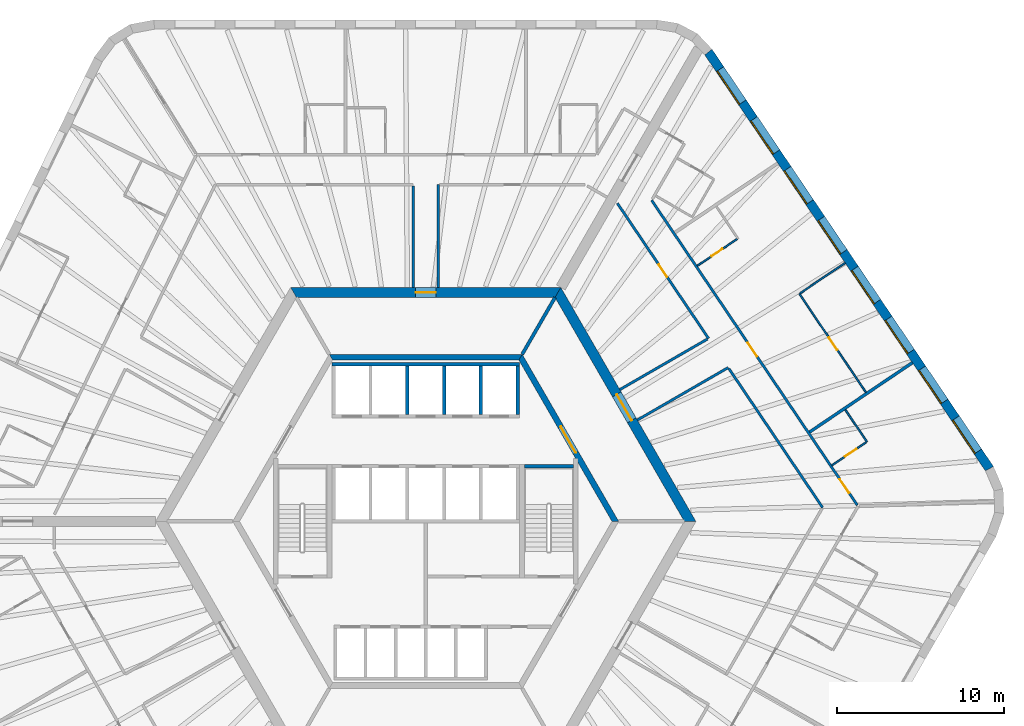
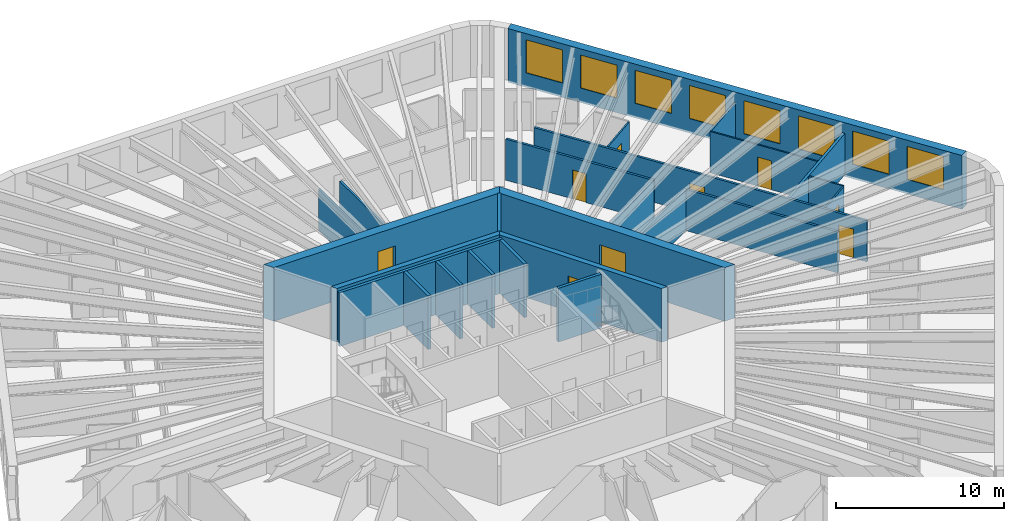
# One storey, part 9 of 11: 25 walls, 9 doors, 8 windows, 17 openings.
"""IFC4 building model written with IfcOpenShell, lengths in metres."""

import ifcopenshell
import ifcopenshell.guid

model = None  # the IFC model being written
_history = None  # IfcOwnerHistory: only IFC2X3 demands one
_inside = {}  # id of a spatial element -> (the spatial element, [elements in it])
_under = {}  # id of a project, library or spatial element -> (it, [spatial elements below it])
_declared = {}  # id of a project -> (the project, [libraries it declares])
_typed = {}  # id of a type object -> (the type object, [elements of that type])
_made_of = {}  # id of a material, layer set ... -> (it, [elements and type objects made of it])


def new_model(schema):
    """Start an empty IFC model of exactly this schema.

    Asked for "IFC4X3", IfcOpenShell would pick the latest addendum, in which some entities
    have other attributes; the version numbers below select the first issue.
    IFC2X3 requires an IfcOwnerHistory on every rooted entity: one is made here for all.
    """
    global model, _history
    if schema == "IFC4X3":
        model = ifcopenshell.file(schema_version=(4, 3, 0, 0))
    else:
        model = ifcopenshell.file(schema=schema)
    _inside.clear()
    _under.clear()
    _declared.clear()
    _typed.clear()
    _made_of.clear()
    _history = None
    if model.schema == "IFC2X3":
        org = make("IfcOrganization", Name="unknown")
        user = make(
            "IfcPersonAndOrganization",
            ThePerson=make("IfcPerson", FamilyName="unknown"),
            TheOrganization=org,
        )
        app = make(
            "IfcApplication",
            ApplicationDeveloper=org,
            Version="unknown",
            ApplicationFullName="unknown",
            ApplicationIdentifier="unknown",
        )
        _history = make(
            "IfcOwnerHistory",
            OwningUser=user,
            OwningApplication=app,
            ChangeAction="ADDED",
            CreationDate=0,
        )
    return model


def make(cls, **values):
    """One entity of the class cls with the attributes given. An attribute that is None is left unset."""
    return model.create_entity(
        cls, **{name: value for name, value in values.items() if value is not None}
    )


def rooted(cls, **values):
    """An entity with a GlobalId (a new one), such as an element, a storey or a relation."""
    return make(cls, GlobalId=ifcopenshell.guid.new(), OwnerHistory=_history, **values)


def si_unit(unit_type, name, prefix=None):
    """IfcSIUnit, for example si_unit("LENGTHUNIT", "METRE", prefix="MILLI")."""
    return make("IfcSIUnit", UnitType=unit_type, Prefix=prefix, Name=name)


def assignment(units):
    """IfcUnitAssignment: the units of a project."""
    return None if units is None else make("IfcUnitAssignment", Units=units)


def point(xyz):
    """IfcCartesianPoint."""
    return None if xyz is None else make("IfcCartesianPoint", Coordinates=xyz)


def direction(xyz):
    """IfcDirection."""
    return None if xyz is None else make("IfcDirection", DirectionRatios=xyz)


def frame(location, z_axis=None, x_axis=None):
    """IfcAxis2Placement3D, a coordinate frame: its origin and axes. An axis left out is left unset."""
    return make(
        "IfcAxis2Placement3D",
        Location=point(location),
        Axis=direction(z_axis),
        RefDirection=direction(x_axis),
    )


def frame_2d(location, x_axis=None):
    """IfcAxis2Placement2D, a coordinate frame in the plane: its origin and x axis."""
    return make(
        "IfcAxis2Placement2D", Location=point(location), RefDirection=direction(x_axis)
    )


def origin():
    """The frame at (0, 0, 0) with its axes left unset."""
    return frame((0.0, 0.0, 0.0))


def place(relative_to, where):
    """IfcLocalPlacement: puts the frame where relative to a parent placement (None: the world)."""
    return make(
        "IfcLocalPlacement", PlacementRelTo=relative_to, RelativePlacement=where
    )


def context(
    kind, dimensions, precision=None, world=None, true_north=None, identifier=None
):
    """IfcGeometricRepresentationContext, for example the 3D "Model" context."""
    return make(
        "IfcGeometricRepresentationContext",
        ContextIdentifier=identifier,
        ContextType=kind,
        CoordinateSpaceDimension=dimensions,
        Precision=precision,
        WorldCoordinateSystem=world,
        TrueNorth=true_north,
    )


def subcontext(parent, identifier, kind, view, scale=None):
    """IfcGeometricRepresentationSubContext, for example "Body" below "Model"."""
    return make(
        "IfcGeometricRepresentationSubContext",
        ContextIdentifier=identifier,
        ContextType=kind,
        ParentContext=parent,
        TargetScale=scale,
        TargetView=view,
    )


def project(units=None, contexts=None):
    """IfcProject with its units and contexts."""
    return rooted(
        "IfcProject",
        Name="project",
        RepresentationContexts=contexts,
        UnitsInContext=assignment(units),
    )


def spatial(cls, under=None, at=None, **own):
    """A site, building, storey or space (cls), placed at a placement, below another one or the project."""
    s = rooted(cls, ObjectPlacement=at, **own)
    if under is not None:
        _under.setdefault(under.id(), (under, []))[1].append(s)
    return s


def polyline(points):
    """IfcPolyline through the points."""
    return make("IfcPolyline", Points=[point(p) for p in points])


def profile(cls, at=None, kind="AREA", **sizes):
    """A parametric profile (cls). Its sizes go by their IFC names, for example OverallWidth=200.0."""
    return make(cls, ProfileType=kind, Position=at, **sizes)


def rectangle(**sizes):
    """IfcRectangleProfileDef."""
    return profile("IfcRectangleProfileDef", **sizes)


def outline(outer, holes=None, kind="AREA"):
    """IfcArbitraryClosedProfileDef: a profile drawn as a closed curve; with holes, ...WithVoids."""
    if holes is None:
        return make("IfcArbitraryClosedProfileDef", ProfileType=kind, OuterCurve=outer)
    return make(
        "IfcArbitraryProfileDefWithVoids",
        ProfileType=kind,
        OuterCurve=outer,
        InnerCurves=holes,
    )


def extrude(swept, where, along, depth):
    """IfcExtrudedAreaSolid: the profile swept, set in the frame where, extruded along a direction by depth."""
    return make(
        "IfcExtrudedAreaSolid",
        SweptArea=swept,
        Position=where,
        ExtrudedDirection=direction(along),
        Depth=depth,
    )


def shape(context_of_items, identifier, shape_type, items):
    """IfcShapeRepresentation: the items that make up one representation, for example the "Body"."""
    return make(
        "IfcShapeRepresentation",
        ContextOfItems=context_of_items,
        RepresentationIdentifier=identifier,
        RepresentationType=shape_type,
        Items=items,
    )


def material(Name=None, Category=None):
    """IfcMaterial."""
    return make("IfcMaterial", Name=Name, Category=Category)


def layer(
    of_material, thickness, ventilated=None, Name=None, Category=None, Priority=None
):
    """IfcMaterialLayer: one layer of a wall or slab, of a material (None: an air gap)."""
    return make(
        "IfcMaterialLayer",
        Material=of_material,
        LayerThickness=thickness,
        IsVentilated=ventilated,
        Name=Name,
        Category=Category,
        Priority=Priority,
    )


def layer_set(layers, Name=None):
    """IfcMaterialLayerSet."""
    return make("IfcMaterialLayerSet", MaterialLayers=layers, LayerSetName=Name)


def made_of(thing, what):
    """Note that an element or type object is made of a material, layer set ...; save() writes the relation."""
    if what is not None:
        _made_of.setdefault(what.id(), (what, []))[1].append(thing)
    return thing


def type_object(cls, material=None, **own):
    """A type object (cls), such as IfcWallType, which elements share."""
    return made_of(rooted(cls, **own), material)


def element(
    cls,
    number,
    at=None,
    inside=None,
    cuts=None,
    type_object=None,
    material=None,
    context=None,
    identifier="Body",
    shape_type=None,
    held_by="IfcProductDefinitionShape",
    body=None,
    shapes=None,
    **own,
):
    """One element of the class cls, such as IfcWall. Its Tag is "e" and its number.

    at: its placement. inside: the storey or other place that contains it. cuts: it is an
    opening in that element (IfcRelVoidsElement). A single representation is given by context,
    identifier, shape_type and body (its items); several are given by shapes. held_by: the class
    of the entity that holds the representations. save() writes the other relations.
    """
    e = rooted(cls, Tag="e%d" % number, ObjectPlacement=at, **own)
    if body is not None:
        shapes = [shape(context, identifier, shape_type, body)]
    if shapes is not None:
        e.Representation = make(held_by, Representations=shapes)
    if inside is not None:
        _inside.setdefault(inside.id(), (inside, []))[1].append(e)
    if cuts is not None:
        rooted(
            "IfcRelVoidsElement", RelatingBuildingElement=cuts, RelatedOpeningElement=e
        )
    if type_object is not None:
        _typed.setdefault(type_object.id(), (type_object, []))[1].append(e)
    return made_of(e, material)


def fill(opening, filler):
    """IfcRelFillsElement: the door or window that sits in an opening."""
    return rooted(
        "IfcRelFillsElement",
        RelatingOpeningElement=opening,
        RelatedBuildingElement=filler,
    )


def aggregate(whole, parts):
    """IfcRelAggregates: a whole, such as a stair, and the parts it consists of."""
    return rooted("IfcRelAggregates", RelatingObject=whole, RelatedObjects=parts)


def save(model, path):
    """Write the relations noted so far, then the file.

    IfcRelAggregates (storeys below a building ...), IfcRelContainedInSpatialStructure (elements
    in a storey), IfcRelDefinesByType, IfcRelAssociatesMaterial and IfcRelDeclares: one each for
    every whole, place, type object, material and project.
    """
    for whole, parts in _under.values():
        aggregate(whole, parts)
    for where, things in _inside.values():
        rooted(
            "IfcRelContainedInSpatialStructure",
            RelatedElements=things,
            RelatingStructure=where,
        )
    for kind, things in _typed.values():
        rooted("IfcRelDefinesByType", RelatedObjects=things, RelatingType=kind)
    for what, things in _made_of.values():
        rooted("IfcRelAssociatesMaterial", RelatedObjects=things, RelatingMaterial=what)
    for by, libraries in _declared.values():
        rooted("IfcRelDeclares", RelatingContext=by, RelatedDefinitions=libraries)
    model.write(path)


model = new_model("IFC4")

# Units and contexts
model_context = context("Model", 3, precision=1e-05, world=origin(), true_north=direction((0.0, 1.0)))
body_context = subcontext(model_context, "Body", "Model", "MODEL_VIEW")
ifc_project = project(units=[si_unit("LENGTHUNIT", "METRE"), si_unit("AREAUNIT", "SQUARE_METRE"), si_unit("VOLUMEUNIT", "CUBIC_METRE"), si_unit("PLANEANGLEUNIT", "RADIAN"), si_unit("MASSUNIT", "GRAM", prefix="KILO")], contexts=[model_context])

# Site, building, storey
site_placement = place(None, origin())
site = spatial("IfcSite", under=ifc_project, at=site_placement, CompositionType="ELEMENT")
building_placement = place(site_placement, origin())
building = spatial("IfcBuilding", under=site, at=building_placement, Name="Tarnside Tower", CompositionType="ELEMENT")
storey_placement = place(building_placement, frame((0.0, 0.0, 45.300048828125)))
storey = spatial("IfcBuildingStorey", under=building, at=storey_placement, Name="L08", CompositionType="ELEMENT", Elevation=45.300048828125)

# Wall
ifc_material_1 = material(Name="Gypsum board partition on steel studs", Category="steel")
ifc_layer_1 = layer(ifc_material_1, 0.10009765625)
ifc_layer_set_1 = layer_set([ifc_layer_1], Name="Bathroom wall 100")
wall_type_1 = type_object("IfcWallType", Name="Bathroom wall 100", PredefinedType="PARTITIONING", material=ifc_layer_set_1)
wall_1_placement = place(storey_placement, frame((25.106689453125, 6.680419921875, 0.0), z_axis=(0.0, 0.0, 1.0), x_axis=(0.559204176839, -0.829029968461, 0.0)))
element("IfcWall", 1, at=wall_1_placement, inside=storey, type_object=wall_type_1, Name="Bathroom wall 01142", PredefinedType="PARTITIONING", context=body_context, shape_type="SweptSolid", body=[
    extrude(rectangle(XDim=2.31005859375, YDim=0.10009765625, at=frame_2d((1.155029296875, 0.0))), origin(), (0.0, 0.0, 1.0), 2.98779296875),
])

# Wall, opening, door
wall_2_placement = place(storey_placement, frame((26.35693359375, 4.7373046875, 0.0), z_axis=(0.0, 0.0, 1.0), x_axis=(-0.829094460354, -0.559108554585, 0.0)))
wall_2 = element("IfcWall", 2, at=wall_2_placement, inside=storey, type_object=wall_type_1, Name="Bathroom wall 01143", PredefinedType="PARTITIONING", context=body_context, shape_type="SweptSolid", body=[
    extrude(rectangle(XDim=2.47509765625, YDim=0.10009765625, at=frame_2d((1.237548828125, 0.0))), origin(), (0.0, 0.0, 1.0), 2.98779296875),
])
opening_1_placement = place(wall_2_placement, frame((0.719970703125, 0.0, 0.0)))
opening_1 = element("IfcOpeningElement", 3, at=opening_1_placement, cuts=wall_2, Name="Opening D-B1", PredefinedType="OPENING", context=body_context, shape_type="SweptSolid", body=[
    extrude(rectangle(XDim=0.800048828125, YDim=2.10009765625, at=frame_2d((0.39990234375, 1.050048828125))), frame((0.0, 0.06005859375, 0.0), z_axis=(0.0, -1.0, 0.0), x_axis=(1.0, 0.0, 0.0)), (0.0, 0.0, 1.0), 0.1201171875),
])
ifc_material_2 = material(Name="Timber door leaf", Category="wood")
door_type_1 = type_object("IfcDoorType", Name="Bathroom door 800", OperationType="NOTDEFINED", PredefinedType="DOOR", material=ifc_material_2)
door_1_placement = place(opening_1_placement, origin())
door_1 = element("IfcDoor", 4, at=door_1_placement, inside=storey, type_object=door_type_1, Name="Bathroom door 01036", OperationType="SINGLE_SWING_RIGHT", OverallHeight=2.10009765625, OverallWidth=0.800048828125, PredefinedType="DOOR", context=body_context, shape_type="SweptSolid", body=[
    extrude(rectangle(XDim=0.800048828125, YDim=2.10009765625, at=frame_2d((0.39990234375, 1.050048828125))), frame((0.0, 0.02490234375, 0.0), z_axis=(0.0, -1.0, 0.0), x_axis=(1.0, 0.0, 0.0)), (0.0, 0.0, 1.0), 0.050048828125),
])
fill(opening_1, door_1)

wall_3_placement = place(storey_placement, frame((18.63623046875, 16.899169921875, 0.0), z_axis=(0.0, 0.0, 1.0), x_axis=(-0.82904649496, -0.559179675234, 0.0)))
wall_3 = element("IfcWall", 5, at=wall_3_placement, inside=storey, type_object=wall_type_1, Name="Bathroom wall 01148", PredefinedType="PARTITIONING", context=body_context, shape_type="SweptSolid", body=[
    extrude(rectangle(XDim=2.875, YDim=0.10009765625, at=frame_2d((1.4375, 0.0))), origin(), (0.0, 0.0, 1.0), 2.98779296875),
])
opening_2_placement = place(wall_3_placement, frame((1.050048828125, 0.0, 0.0)))
opening_2 = element("IfcOpeningElement", 6, at=opening_2_placement, cuts=wall_3, Name="Opening D-B1", PredefinedType="OPENING", context=body_context, shape_type="SweptSolid", body=[
    extrude(rectangle(XDim=0.800048828125, YDim=2.10009765625, at=frame_2d((0.39990234375, 1.050048828125))), frame((0.0, 0.06005859375, 0.0), z_axis=(0.0, -1.0, 0.0), x_axis=(1.0, 0.0, 0.0)), (0.0, 0.0, 1.0), 0.1201171875),
])
door_2_placement = place(opening_2_placement, origin())
door_2 = element("IfcDoor", 7, at=door_2_placement, inside=storey, type_object=door_type_1, Name="Bathroom door 01038", OperationType="SINGLE_SWING_LEFT", OverallHeight=2.10009765625, OverallWidth=0.800048828125, PredefinedType="DOOR", context=body_context, shape_type="SweptSolid", body=[
    extrude(rectangle(XDim=0.800048828125, YDim=2.10009765625, at=frame_2d((0.39990234375, 1.050048828125))), frame((0.0, 0.02490234375, 0.0), z_axis=(0.0, -1.0, 0.0), x_axis=(1.0, 0.0, 0.0)), (0.0, 0.0, 1.0), 0.050048828125),
])
fill(opening_2, door_2)

ifc_material_3 = material(Name="Concrete C50/60", Category="concrete")
ifc_layer_2 = layer(ifc_material_3, 0.35009765625)
ifc_layer_set_2 = layer_set([ifc_layer_2], Name="Core block wall 350 C50/60")
wall_type_2 = type_object("IfcWallType", Name="Core block wall 350 C50/60", PredefinedType="SHEAR", material=ifc_layer_set_2)
wall_4_placement = place(storey_placement, frame((11.344970703125, 0.0, -0.150146484375), z_axis=(0.0, 0.0, 1.0), x_axis=(-0.499995046907, 0.866028263435, 0.0)))
wall_4 = element("IfcWall", 8, at=wall_4_placement, inside=storey, type_object=wall_type_2, Name="L08 core block wall face 6", PredefinedType="SHEAR", context=body_context, shape_type="SweptSolid", body=[
    extrude(outline(polyline([(-0.10107421875, -0.175048828125), (11.44580078125, -0.175048828125), (11.24365234375, 0.175048828125), (0.10107421875, 0.175048828125), (-0.10107421875, -0.175048828125)])), origin(), (0.0, 0.0, 1.0), 3.900146484375),
])
opening_3_placement = place(wall_4_placement, frame((4.74365234375, 0.0, 0.14990234375)))
opening_3 = element("IfcOpeningElement", 9, at=opening_3_placement, cuts=wall_4, Name="Opening CD-LOB", PredefinedType="OPENING", context=body_context, shape_type="SweptSolid", body=[
    extrude(rectangle(XDim=1.800048828125, YDim=2.39990234375, at=frame_2d((0.89990234375, 1.199951171875))), frame((0.0, 0.18505859375, 0.0), z_axis=(0.0, -1.0, 0.0), x_axis=(1.0, 0.0, 0.0)), (0.0, 0.0, 1.0), 0.3701171875),
])
ifc_material_4 = material(Name="Steel fire door", Category="steel")
door_type_2 = type_object("IfcDoorType", Name="Lobby double door FD30S 1800x2400", OperationType="NOTDEFINED", PredefinedType="DOOR", material=ifc_material_4)
door_3_placement = place(opening_3_placement, origin())
door_3 = element("IfcDoor", 10, at=door_3_placement, inside=storey, type_object=door_type_2, Name="L08 lobby block door P2", OperationType="DOUBLE_DOOR_SINGLE_SWING", OverallHeight=2.39990234375, OverallWidth=1.800048828125, PredefinedType="DOOR", context=body_context, shape_type="SweptSolid", body=[
    extrude(rectangle(XDim=1.800048828125, YDim=2.39990234375, at=frame_2d((0.89990234375, 1.199951171875))), frame((0.0, 0.02490234375, 0.0), z_axis=(0.0, -1.0, 0.0), x_axis=(1.0, 0.0, 0.0)), (0.0, 0.0, 1.0), 0.050048828125),
])
fill(opening_3, door_3)

# Wall
wall_5_placement = place(storey_placement, frame((5.672607421875, 9.824951171875, -0.150146484375), z_axis=(0.0, 0.0, 1.0), x_axis=(-1.0, 0.0, 0.0)))
element("IfcWall", 11, at=wall_5_placement, inside=storey, type_object=wall_type_2, Name="L08 core block wall face 1", PredefinedType="SHEAR", context=body_context, shape_type="SweptSolid", body=[
    extrude(outline(polyline([(-0.10107421875, -0.175048828125), (11.4462890625, -0.175048828125), (11.244140625, 0.175048828125), (0.10107421875, 0.175048828125), (-0.10107421875, -0.175048828125)])), origin(), (0.0, 0.0, 1.0), 3.900146484375),
])

# Wall, opening, door
ifc_material_5 = material(Name="Concrete C80/95", Category="concrete")
ifc_layer_3 = layer(ifc_material_5, 0.60009765625)
ifc_layer_set_3 = layer_set([ifc_layer_3], Name="Core wall Z1 600 C80/95")
wall_type_3 = type_object("IfcWallType", Name="Core wall Z1 600 C80/95", PredefinedType="SHEAR", material=ifc_layer_set_3)
wall_6_placement = place(storey_placement, frame((15.8193359375, 0.0, -0.150146484375), z_axis=(0.0, 0.0, 1.0), x_axis=(-0.499999880136, 0.866025472988, 0.0)))
wall_6 = element("IfcWall", 12, at=wall_6_placement, inside=storey, type_object=wall_type_3, Name="L08 core wall face 6", PredefinedType="SHEAR", context=body_context, shape_type="SweptSolid", body=[
    extrude(outline(polyline([(-0.17333984375, -0.300048828125), (15.99267578125, -0.300048828125), (15.64599609375, 0.300048828125), (0.17333984375, 0.300048828125), (-0.17333984375, -0.300048828125)])), origin(), (0.0, 0.0, 1.0), 3.900146484375),
])
opening_4_placement = place(wall_6_placement, frame((6.980712890625, 0.0, 0.14990234375)))
opening_4 = element("IfcOpeningElement", 13, at=opening_4_placement, cuts=wall_6, Name="Opening CD-LOB", PredefinedType="OPENING", context=body_context, shape_type="SweptSolid", body=[
    extrude(rectangle(XDim=1.800048828125, YDim=2.39990234375, at=frame_2d((0.89990234375, 1.199951171875))), frame((0.0, 0.31005859375, 0.0), z_axis=(0.0, -1.0, 0.0), x_axis=(1.0, 0.0, 0.0)), (0.0, 0.0, 1.0), 0.6201171875),
])
door_4_placement = place(opening_4_placement, origin())
door_4 = element("IfcDoor", 14, at=door_4_placement, inside=storey, type_object=door_type_2, Name="L08 core door P2", OperationType="DOUBLE_DOOR_SINGLE_SWING", OverallHeight=2.39990234375, OverallWidth=1.800048828125, PredefinedType="DOOR", context=body_context, shape_type="SweptSolid", body=[
    extrude(rectangle(XDim=1.800048828125, YDim=2.39990234375, at=frame_2d((0.89990234375, 1.199951171875))), frame((0.0, 0.02490234375, 0.0), z_axis=(0.0, -1.0, 0.0), x_axis=(1.0, 0.0, 0.0)), (0.0, 0.0, 1.0), 0.050048828125),
])
fill(opening_4, door_4)

wall_7_placement = place(storey_placement, frame((7.90966796875, 13.699951171875, -0.150146484375), z_axis=(0.0, 0.0, 1.0), x_axis=(-1.0, 0.0, 0.0)))
wall_7 = element("IfcWall", 15, at=wall_7_placement, inside=storey, type_object=wall_type_3, Name="L08 core wall face 1", PredefinedType="SHEAR", context=body_context, shape_type="SweptSolid", body=[
    extrude(outline(polyline([(-0.17333984375, -0.300048828125), (15.99267578125, -0.300048828125), (15.64599609375, 0.300048828125), (0.17333984375, 0.300048828125), (-0.17333984375, -0.300048828125)])), origin(), (0.0, 0.0, 1.0), 3.900146484375),
])
opening_5_placement = place(wall_7_placement, frame((7.309814453125, 0.0, 0.14990234375)))
opening_5 = element("IfcOpeningElement", 16, at=opening_5_placement, cuts=wall_7, Name="Opening CD-RSR", PredefinedType="OPENING", context=body_context, shape_type="SweptSolid", body=[
    extrude(rectangle(XDim=1.199951171875, YDim=2.39990234375, at=frame_2d((0.60009765625, 1.199951171875))), frame((0.0, 0.31005859375, 0.0), z_axis=(0.0, -1.0, 0.0), x_axis=(1.0, 0.0, 0.0)), (0.0, 0.0, 1.0), 0.6201171875),
])
door_type_3 = type_object("IfcDoorType", Name="Riser door FD60 1200x2400", OperationType="NOTDEFINED", PredefinedType="DOOR", material=ifc_material_4)
door_5_placement = place(opening_5_placement, origin())
door_5 = element("IfcDoor", 17, at=door_5_placement, inside=storey, type_object=door_type_3, Name="L08 core door S5", OperationType="SINGLE_SWING_LEFT", OverallHeight=2.39990234375, OverallWidth=1.199951171875, PredefinedType="DOOR", context=body_context, shape_type="SweptSolid", body=[
    extrude(rectangle(XDim=1.199951171875, YDim=2.39990234375, at=frame_2d((0.60009765625, 1.199951171875))), frame((0.0, 0.02490234375, 0.0), z_axis=(0.0, -1.0, 0.0), x_axis=(1.0, 0.0, 0.0)), (0.0, 0.0, 1.0), 0.050048828125),
])
fill(opening_5, door_5)

# Walls
ifc_layer_4 = layer(ifc_material_1, 0.14990234375)
ifc_layer_set_4 = layer_set([ifc_layer_4], Name="Corridor wall 150 EI 60")
wall_type_4 = type_object("IfcWallType", Name="Corridor wall 150 EI 60", PredefinedType="PARTITIONING", material=ifc_layer_set_4)
wall_8_placement = place(storey_placement, frame((-0.75, 20.074951171875, 0.0), z_axis=(0.0, 0.0, 1.0), x_axis=(0.0, -1.0, 0.0)))
element("IfcWall", 18, at=wall_8_placement, inside=storey, type_object=wall_type_4, Name="Corridor wall 01019", PredefinedType="PARTITIONING", context=body_context, shape_type="SweptSolid", body=[
    extrude(rectangle(XDim=6.074951171875, YDim=0.14990234375, at=frame_2d((3.03759765625, 0.0))), origin(), (0.0, 0.0, 1.0), 2.98779296875),
])
wall_9_placement = place(storey_placement, frame((0.75, 14.0, 0.0), z_axis=(0.0, 0.0, 1.0), x_axis=(0.0, 1.0, 0.0)))
element("IfcWall", 19, at=wall_9_placement, inside=storey, type_object=wall_type_4, Name="Corridor wall 01020", PredefinedType="PARTITIONING", context=body_context, shape_type="SweptSolid", body=[
    extrude(rectangle(XDim=6.14990234375, YDim=0.14990234375, at=frame_2d((3.074951171875, 0.0))), origin(), (0.0, 0.0, 1.0), 2.98779296875),
])

# Wall, openings, doors
wall_10_placement = place(storey_placement, frame((25.820556640625, 0.972412109375, 0.0), z_axis=(0.0, 0.0, 1.0), x_axis=(-0.559193816298, 0.829036956845, 0.0)))
wall_10 = element("IfcWall", 20, at=wall_10_placement, inside=storey, type_object=wall_type_4, Name="Corridor wall 01059", PredefinedType="PARTITIONING", context=body_context, shape_type="SweptSolid", body=[
    extrude(rectangle(XDim=22.001708984375, YDim=0.14990234375, at=frame_2d((11.0009765625, 0.0))), origin(), (0.0, 0.0, 1.0), 2.98779296875),
])
opening_6_placement = place(wall_10_placement, frame((0.868896484375, 0.0, 0.0)))
opening_6 = element("IfcOpeningElement", 21, at=opening_6_placement, cuts=wall_10, Name="Opening D-E1", PredefinedType="OPENING", context=body_context, shape_type="SweptSolid", body=[
    extrude(rectangle(XDim=1.0, YDim=2.10009765625, at=frame_2d((0.5, 1.050048828125))), frame((0.0, 0.0849609375, 0.0), z_axis=(0.0, -1.0, 0.0), x_axis=(1.0, 0.0, 0.0)), (0.0, 0.0, 1.0), 0.169921875),
])
opening_7_placement = place(wall_10_placement, frame((10.721435546875, 0.0, 0.0)))
opening_7 = element("IfcOpeningElement", 22, at=opening_7_placement, cuts=wall_10, Name="Opening D-E1", PredefinedType="OPENING", context=body_context, shape_type="SweptSolid", body=[
    extrude(rectangle(XDim=1.0, YDim=2.10009765625, at=frame_2d((0.5, 1.050048828125))), frame((0.0, 0.0849609375, 0.0), z_axis=(0.0, -1.0, 0.0), x_axis=(1.0, 0.0, 0.0)), (0.0, 0.0, 1.0), 0.169921875),
])
door_type_4 = type_object("IfcDoorType", Name="Unit entrance door 1000 FD30S", OperationType="NOTDEFINED", PredefinedType="DOOR", material=ifc_material_2)
door_6_placement = place(opening_6_placement, origin())
door_6 = element("IfcDoor", 23, at=door_6_placement, inside=storey, type_object=door_type_4, Name="Unit door 01035", OperationType="SINGLE_SWING_RIGHT", OverallHeight=2.10009765625, OverallWidth=1.0, PredefinedType="DOOR", context=body_context, shape_type="SweptSolid", body=[
    extrude(rectangle(XDim=1.0, YDim=2.10009765625, at=frame_2d((0.5, 1.050048828125))), frame((0.0, 0.02490234375, 0.0), z_axis=(0.0, -1.0, 0.0), x_axis=(1.0, 0.0, 0.0)), (0.0, 0.0, 1.0), 0.050048828125),
])
fill(opening_6, door_6)
door_7_placement = place(opening_7_placement, origin())
door_7 = element("IfcDoor", 24, at=door_7_placement, inside=storey, type_object=door_type_4, Name="Unit door 01037", OperationType="SINGLE_SWING_RIGHT", OverallHeight=2.10009765625, OverallWidth=1.0, PredefinedType="DOOR", context=body_context, shape_type="SweptSolid", body=[
    extrude(rectangle(XDim=1.0, YDim=2.10009765625, at=frame_2d((0.5, 1.050048828125))), frame((0.0, 0.02490234375, 0.0), z_axis=(0.0, -1.0, 0.0), x_axis=(1.0, 0.0, 0.0)), (0.0, 0.0, 1.0), 0.050048828125),
])
fill(opening_7, door_7)

# Walls
wall_11_placement = place(storey_placement, frame((12.663818359375, 6.065673828125, 0.0), z_axis=(0.0, 0.0, 1.0), x_axis=(0.866036561919, 0.499980673046, 0.0)))
element("IfcWall", 25, at=wall_11_placement, inside=storey, type_object=wall_type_4, Name="Corridor wall 01068", PredefinedType="PARTITIONING", context=body_context, shape_type="SweptSolid", body=[
    extrude(rectangle(XDim=6.274658203125, YDim=0.14990234375, at=frame_2d((3.13720703125, 0.0))), origin(), (0.0, 0.0, 1.0), 2.98779296875),
])
wall_12_placement = place(storey_placement, frame((18.139892578125, 9.140625, 0.0), z_axis=(0.0, 0.0, 1.0), x_axis=(0.55918799196, -0.829040885389, 0.0)))
element("IfcWall", 26, at=wall_12_placement, inside=storey, type_object=wall_type_4, Name="Corridor wall 01069", PredefinedType="PARTITIONING", context=body_context, shape_type="SweptSolid", body=[
    extrude(rectangle(XDim=10.025146484375, YDim=0.14990234375, at=frame_2d((5.0126953125, 0.0))), origin(), (0.0, 0.0, 1.0), 2.98779296875),
])

# Wall, opening, door
wall_13_placement = place(storey_placement, frame((11.464599609375, 19.037109375, 0.0), z_axis=(0.0, 0.0, 1.0), x_axis=(0.559196064773, -0.829035440221, 0.0)))
wall_13 = element("IfcWall", 27, at=wall_13_placement, inside=storey, type_object=wall_type_4, Name="Corridor wall 01075", PredefinedType="PARTITIONING", context=body_context, shape_type="SweptSolid", body=[
    extrude(rectangle(XDim=9.757080078125, YDim=0.14990234375, at=frame_2d((4.87841796875, 0.0))), origin(), (0.0, 0.0, 1.0), 2.98779296875),
])
opening_8_placement = place(wall_13_placement, frame((4.428466796875, 0.0, 0.0)))
opening_8 = element("IfcOpeningElement", 28, at=opening_8_placement, cuts=wall_13, Name="Opening D-S1", PredefinedType="OPENING", context=body_context, shape_type="SweptSolid", body=[
    extrude(rectangle(XDim=0.89990234375, YDim=2.10009765625, at=frame_2d((0.449951171875, 1.050048828125))), frame((0.0, 0.0849609375, 0.0), z_axis=(0.0, -1.0, 0.0), x_axis=(1.0, 0.0, 0.0)), (0.0, 0.0, 1.0), 0.169921875),
])
door_type_5 = type_object("IfcDoorType", Name="Service room door 900 FD30S", OperationType="NOTDEFINED", PredefinedType="DOOR", material=ifc_material_2)
door_8_placement = place(opening_8_placement, origin())
door_8 = element("IfcDoor", 29, at=door_8_placement, inside=storey, type_object=door_type_5, Name="Service door 01050", OperationType="SINGLE_SWING_RIGHT", OverallHeight=2.10009765625, OverallWidth=0.89990234375, PredefinedType="DOOR", context=body_context, shape_type="SweptSolid", body=[
    extrude(rectangle(XDim=0.89990234375, YDim=2.10009765625, at=frame_2d((0.449951171875, 1.050048828125))), frame((0.0, 0.02490234375, 0.0), z_axis=(0.0, -1.0, 0.0), x_axis=(1.0, 0.0, 0.0)), (0.0, 0.0, 1.0), 0.050048828125),
])
fill(opening_8, door_8)

# Walls
wall_14_placement = place(storey_placement, frame((16.85546875, 10.91064453125, 0.0), z_axis=(0.0, 0.0, 1.0), x_axis=(-0.866020343444, -0.500008764664, 0.0)))
element("IfcWall", 30, at=wall_14_placement, inside=storey, type_object=wall_type_4, Name="Corridor wall 01076", PredefinedType="PARTITIONING", context=body_context, shape_type="SweptSolid", body=[
    extrude(rectangle(XDim=6.052734375, YDim=0.14990234375, at=frame_2d((3.0263671875, 0.0))), origin(), (0.0, 0.0, 1.0), 2.98779296875),
])
ifc_layer_5 = layer(ifc_material_1, 0.179931640625)
ifc_layer_set_5 = layer_set([ifc_layer_5], Name="Demising wall 180 EI 60")
wall_type_5 = type_object("IfcWallType", Name="Demising wall 180 EI 60", PredefinedType="PARTITIONING", material=ifc_layer_set_5)
wall_15_placement = place(storey_placement, frame((29.11865234375, 9.4951171875, 0.0), z_axis=(0.0, 0.0, 1.0), x_axis=(-0.829038452737, -0.559191598545, 0.0)))
element("IfcWall", 31, at=wall_15_placement, inside=storey, type_object=wall_type_5, Name="Demising wall 01144", PredefinedType="PARTITIONING", context=body_context, shape_type="SweptSolid", body=[
    extrude(rectangle(XDim=7.42529296875, YDim=0.179931640625, at=frame_2d((3.712646484375, 0.0))), origin(), (0.0, 0.0, 1.0), 2.98779296875),
])
ifc_material_6 = material(Name="Concrete C40/50", Category="concrete")
ifc_layer_6 = layer(ifc_material_6, 0.199951171875)
ifc_layer_set_6 = layer_set([ifc_layer_6], Name="Lift shaft wall 200 C40/50")
wall_type_6 = type_object("IfcWallType", Name="Lift shaft wall 200 C40/50", PredefinedType="SHEAR", material=ifc_layer_set_6)
wall_16_placement = place(storey_placement, frame((-5.60009765625, 9.39990234375, -0.25), z_axis=(0.0, 0.0, 1.0), x_axis=(1.0, 0.0, 0.0)))
element("IfcWall", 32, at=wall_16_placement, inside=storey, type_object=wall_type_6, Name="L08 lift shaft back wall R1", PredefinedType="SHEAR", context=body_context, shape_type="SweptSolid", body=[
    extrude(rectangle(XDim=11.2001953125, YDim=0.199951171875, at=frame_2d((5.60009765625, 0.0))), origin(), (0.0, 0.0, 1.0), 3.89990234375),
])
for number, where, z_axis, x_axis, name in (
    (33, (-1.10009765625, 6.39990234375, -0.25), (0.0, 0.0, 1.0), (0.0, 1.0, 0.0), "L08 lift shaft partition R13"),
    (34, (1.10009765625, 6.39990234375, -0.25), (0.0, 0.0, 1.0), (0.0, 1.0, 0.0), "L08 lift shaft partition R14"),
    (35, (3.300048828125, 6.39990234375, -0.25), (0.0, 0.0, 1.0), (0.0, 1.0, 0.0), "L08 lift shaft partition R15"),
    (36, (5.5, 6.39990234375, -0.25), (0.0, 0.0, 1.0), (0.0, 1.0, 0.0), "L08 lift shaft partition R16"),
):
    element("IfcWall", number, at=place(storey_placement, frame(where, z_axis=z_axis, x_axis=x_axis)), inside=storey, type_object=wall_type_6, Name=name, PredefinedType="SHEAR", context=body_context, shape_type="SweptSolid", body=[
        extrude(rectangle(XDim=2.900146484375, YDim=0.199951171875, at=frame_2d((1.4501953125, 0.0))), origin(), (0.0, 0.0, 1.0), 3.89990234375),
    ])
wall_17_placement = place(storey_placement, frame((5.7734375, 10.0, -0.150146484375), z_axis=(0.0, 0.0, 1.0), x_axis=(0.500038251005, 0.86600331843, 0.0)))
element("IfcWall", 37, at=wall_17_placement, inside=storey, type_object=wall_type_6, Name="L08 core partition AR60", PredefinedType="SHEAR", context=body_context, shape_type="SweptSolid", body=[
    extrude(rectangle(XDim=3.926025390625, YDim=0.199951171875, at=frame_2d((1.962890625, 0.0))), origin(), (0.0, 0.0, 1.0), 3.900146484375),
])
wall_18_placement = place(storey_placement, frame((5.89990234375, 3.300048828125, -0.25), z_axis=(0.0, 0.0, 1.0), x_axis=(1.0, 0.0, 0.0)))
element("IfcWall", 38, at=wall_18_placement, inside=storey, type_object=wall_type_6, Name="L08 stair 1 enclosure cap wall n", PredefinedType="SHEAR", context=body_context, shape_type="SweptSolid", body=[
    extrude(rectangle(XDim=2.9501953125, YDim=0.199951171875, at=frame_2d((1.47509765625, 0.0))), origin(), (0.0, 0.0, 1.0), 3.89990234375),
])

# Wall, opening, door
ifc_layer_7 = layer(ifc_material_1, 0.10009765625)
ifc_layer_set_7 = layer_set([ifc_layer_7], Name="Partition 100")
wall_type_7 = type_object("IfcWallType", Name="Partition 100", PredefinedType="PARTITIONING", material=ifc_layer_set_7)
wall_19_placement = place(storey_placement, frame((26.33251953125, 7.724365234375, 0.0), z_axis=(0.0, 0.0, 1.0), x_axis=(-0.559185029686, 0.829042883435, 0.0)))
wall_19 = element("IfcWall", 39, at=wall_19_placement, inside=storey, type_object=wall_type_7, Name="Partition wall 01149", PredefinedType="PARTITIONING", context=body_context, shape_type="SweptSolid", body=[
    extrude(rectangle(XDim=7.110107421875, YDim=0.10009765625, at=frame_2d((3.55517578125, 0.0))), origin(), (0.0, 0.0, 1.0), 2.98779296875),
])
opening_9_placement = place(wall_19_placement, frame((3.06005859375, 0.0, 0.0)))
opening_9 = element("IfcOpeningElement", 40, at=opening_9_placement, cuts=wall_19, Name="Opening D-I1", PredefinedType="OPENING", context=body_context, shape_type="SweptSolid", body=[
    extrude(rectangle(XDim=0.89990234375, YDim=2.10009765625, at=frame_2d((0.449951171875, 1.050048828125))), frame((0.0, 0.06005859375, 0.0), z_axis=(0.0, -1.0, 0.0), x_axis=(1.0, 0.0, 0.0)), (0.0, 0.0, 1.0), 0.1201171875),
])
door_type_6 = type_object("IfcDoorType", Name="Internal door 900", OperationType="NOTDEFINED", PredefinedType="DOOR", material=ifc_material_2)
door_9_placement = place(opening_9_placement, origin())
door_9 = element("IfcDoor", 41, at=door_9_placement, inside=storey, type_object=door_type_6, Name="Internal door 01039", OperationType="SINGLE_SWING_RIGHT", OverallHeight=2.10009765625, OverallWidth=0.89990234375, PredefinedType="DOOR", context=body_context, shape_type="SweptSolid", body=[
    extrude(rectangle(XDim=0.89990234375, YDim=2.10009765625, at=frame_2d((0.449951171875, 1.050048828125))), frame((0.0, 0.02490234375, 0.0), z_axis=(0.0, -1.0, 0.0), x_axis=(1.0, 0.0, 0.0)), (0.0, 0.0, 1.0), 0.050048828125),
])
fill(opening_9, door_9)

# Wall
wall_20_placement = place(storey_placement, frame((22.39794921875, 13.646728515625, 0.0), z_axis=(0.0, 0.0, 1.0), x_axis=(0.829033253898, 0.55919930609, 0.0)))
element("IfcWall", 42, at=wall_20_placement, inside=storey, type_object=wall_type_7, Name="Partition wall 01150", PredefinedType="PARTITIONING", context=body_context, shape_type="SweptSolid", body=[
    extrude(rectangle(XDim=3.25, YDim=0.10009765625, at=frame_2d((1.625, 0.0))), origin(), (0.0, 0.0, 1.0), 2.98779296875),
])

# Wall, openings, windows
ifc_material_7 = material(Name="Facing brick", Category="masonry")
ifc_layer_8 = layer(ifc_material_7, 0.10205078125)
ifc_material_8 = material(Name="Concrete C60/75 precast", Category="concrete")
ifc_layer_9 = layer(ifc_material_8, 0.347900390625)
ifc_material_9 = material(Name="Mineral wool insulation")
ifc_layer_10 = layer(ifc_material_9, 0.10009765625)
ifc_layer_set_8 = layer_set([ifc_layer_8, ifc_layer_9, ifc_layer_10], Name="Tube wall 550 brick faced")
wall_type_8 = type_object("IfcWallType", Name="Tube wall 550 brick faced", PredefinedType="SOLIDWALL", material=ifc_layer_set_8)
wall_21_placement = place(storey_placement, frame((33.72802734375, 3.153076171875, -0.150146484375), z_axis=(0.0, 0.0, 1.0), x_axis=(-0.559192411416, 0.82903790445, 0.0)))
wall_21 = element("IfcWall", 43, at=wall_21_placement, inside=storey, type_object=wall_type_8, Name="Tube wall L08 F6 flush 20", PredefinedType="SOLIDWALL", context=body_context, shape_type="SweptSolid", body=[
    extrude(outline(polyline([(-0.025634765625, -0.27490234375), (30.09326171875, -0.27490234375), (30.04833984375, 0.27490234375), (0.025634765625, 0.27490234375), (-0.025634765625, -0.27490234375)])), origin(), (0.0, 0.0, 1.0), 3.900146484375),
])
opening_10_placement = place(wall_21_placement, frame((1.235595703125, 0.0, 1.050048828125)))
opening_10 = element("IfcOpeningElement", 44, at=opening_10_placement, cuts=wall_21, Name="Opening WH", PredefinedType="OPENING", context=body_context, shape_type="SweptSolid", body=[
    extrude(rectangle(XDim=2.39990234375, YDim=2.39990234375, at=frame_2d((1.199951171875, 1.199951171875))), frame((0.0, 0.28515625, 0.0), z_axis=(0.0, -1.0, 0.0), x_axis=(1.0, 0.0, 0.0)), (0.0, 0.0, 1.0), 0.570068359375),
])
opening_11_placement = place(wall_21_placement, frame((4.83544921875, 0.0, 1.050048828125)))
opening_11 = element("IfcOpeningElement", 45, at=opening_11_placement, cuts=wall_21, Name="Opening WH", PredefinedType="OPENING", context=body_context, shape_type="SweptSolid", body=[
    extrude(rectangle(XDim=2.39990234375, YDim=2.39990234375, at=frame_2d((1.199951171875, 1.199951171875))), frame((0.0, 0.28515625, 0.0), z_axis=(0.0, -1.0, 0.0), x_axis=(1.0, 0.0, 0.0)), (0.0, 0.0, 1.0), 0.570068359375),
])
opening_12_placement = place(wall_21_placement, frame((8.435546875, 0.0, 1.050048828125)))
opening_12 = element("IfcOpeningElement", 46, at=opening_12_placement, cuts=wall_21, Name="Opening WH", PredefinedType="OPENING", context=body_context, shape_type="SweptSolid", body=[
    extrude(rectangle(XDim=2.39990234375, YDim=2.39990234375, at=frame_2d((1.199951171875, 1.199951171875))), frame((0.0, 0.28515625, 0.0), z_axis=(0.0, -1.0, 0.0), x_axis=(1.0, 0.0, 0.0)), (0.0, 0.0, 1.0), 0.570068359375),
])
opening_13_placement = place(wall_21_placement, frame((12.035400390625, 0.0, 1.050048828125)))
opening_13 = element("IfcOpeningElement", 47, at=opening_13_placement, cuts=wall_21, Name="Opening WH", PredefinedType="OPENING", context=body_context, shape_type="SweptSolid", body=[
    extrude(rectangle(XDim=2.39990234375, YDim=2.39990234375, at=frame_2d((1.199951171875, 1.199951171875))), frame((0.0, 0.28515625, 0.0), z_axis=(0.0, -1.0, 0.0), x_axis=(1.0, 0.0, 0.0)), (0.0, 0.0, 1.0), 0.570068359375),
])
opening_14_placement = place(wall_21_placement, frame((15.635498046875, 0.0, 1.050048828125)))
opening_14 = element("IfcOpeningElement", 48, at=opening_14_placement, cuts=wall_21, Name="Opening WH", PredefinedType="OPENING", context=body_context, shape_type="SweptSolid", body=[
    extrude(rectangle(XDim=2.39990234375, YDim=2.39990234375, at=frame_2d((1.199951171875, 1.199951171875))), frame((0.0, 0.28515625, 0.0), z_axis=(0.0, -1.0, 0.0), x_axis=(1.0, 0.0, 0.0)), (0.0, 0.0, 1.0), 0.570068359375),
])
opening_15_placement = place(wall_21_placement, frame((19.235595703125, 0.0, 1.050048828125)))
opening_15 = element("IfcOpeningElement", 49, at=opening_15_placement, cuts=wall_21, Name="Opening WH", PredefinedType="OPENING", context=body_context, shape_type="SweptSolid", body=[
    extrude(rectangle(XDim=2.39990234375, YDim=2.39990234375, at=frame_2d((1.199951171875, 1.199951171875))), frame((0.0, 0.28515625, 0.0), z_axis=(0.0, -1.0, 0.0), x_axis=(1.0, 0.0, 0.0)), (0.0, 0.0, 1.0), 0.570068359375),
])
opening_16_placement = place(wall_21_placement, frame((22.83544921875, 0.0, 1.050048828125)))
opening_16 = element("IfcOpeningElement", 50, at=opening_16_placement, cuts=wall_21, Name="Opening WH", PredefinedType="OPENING", context=body_context, shape_type="SweptSolid", body=[
    extrude(rectangle(XDim=2.39990234375, YDim=2.39990234375, at=frame_2d((1.199951171875, 1.199951171875))), frame((0.0, 0.28515625, 0.0), z_axis=(0.0, -1.0, 0.0), x_axis=(1.0, 0.0, 0.0)), (0.0, 0.0, 1.0), 0.570068359375),
])
opening_17_placement = place(wall_21_placement, frame((26.435546875, 0.0, 1.050048828125)))
opening_17 = element("IfcOpeningElement", 51, at=opening_17_placement, cuts=wall_21, Name="Opening WH", PredefinedType="OPENING", context=body_context, shape_type="SweptSolid", body=[
    extrude(rectangle(XDim=2.39990234375, YDim=2.39990234375, at=frame_2d((1.199951171875, 1.199951171875))), frame((0.0, 0.28515625, 0.0), z_axis=(0.0, -1.0, 0.0), x_axis=(1.0, 0.0, 0.0)), (0.0, 0.0, 1.0), 0.570068359375),
])
ifc_material_10 = material(Name="Aluminium-framed double glazing", Category="aluminium")
window_type = type_object("IfcWindowType", Name="Hotel window 2400 x 2400", PartitioningType="DOUBLE_PANEL_VERTICAL", PredefinedType="WINDOW", material=ifc_material_10)
window_1_placement = place(opening_10_placement, frame((0.0, 0.205078125, 0.0)))
window_1 = element("IfcWindow", 52, at=window_1_placement, inside=storey, type_object=window_type, Name="E.WN.L08.F6.00", OverallHeight=2.39990234375, OverallWidth=2.39990234375, PartitioningType="DOUBLE_PANEL_VERTICAL", PredefinedType="WINDOW", context=body_context, shape_type="SweptSolid", body=[
    extrude(rectangle(XDim=2.39990234375, YDim=2.39990234375, at=frame_2d((1.199951171875, 1.199951171875))), frame((0.0, 0.030029296875, 0.0), z_axis=(0.0, -1.0, 0.0), x_axis=(1.0, 0.0, 0.0)), (0.0, 0.0, 1.0), 0.06005859375),
])
fill(opening_10, window_1)
window_2_placement = place(opening_11_placement, frame((0.0, 0.205078125, 0.0)))
window_2 = element("IfcWindow", 53, at=window_2_placement, inside=storey, type_object=window_type, Name="E.WN.L08.F6.01", OverallHeight=2.39990234375, OverallWidth=2.39990234375, PartitioningType="DOUBLE_PANEL_VERTICAL", PredefinedType="WINDOW", context=body_context, shape_type="SweptSolid", body=[
    extrude(rectangle(XDim=2.39990234375, YDim=2.39990234375, at=frame_2d((1.199951171875, 1.199951171875))), frame((0.0, 0.030029296875, 0.0), z_axis=(0.0, -1.0, 0.0), x_axis=(1.0, 0.0, 0.0)), (0.0, 0.0, 1.0), 0.06005859375),
])
fill(opening_11, window_2)
window_3_placement = place(opening_12_placement, frame((0.0, 0.205078125, 0.0)))
window_3 = element("IfcWindow", 54, at=window_3_placement, inside=storey, type_object=window_type, Name="E.WN.L08.F6.02", OverallHeight=2.39990234375, OverallWidth=2.39990234375, PartitioningType="DOUBLE_PANEL_VERTICAL", PredefinedType="WINDOW", context=body_context, shape_type="SweptSolid", body=[
    extrude(rectangle(XDim=2.39990234375, YDim=2.39990234375, at=frame_2d((1.199951171875, 1.199951171875))), frame((0.0, 0.030029296875, 0.0), z_axis=(0.0, -1.0, 0.0), x_axis=(1.0, 0.0, 0.0)), (0.0, 0.0, 1.0), 0.06005859375),
])
fill(opening_12, window_3)
window_4_placement = place(opening_13_placement, frame((0.0, 0.205078125, 0.0)))
window_4 = element("IfcWindow", 55, at=window_4_placement, inside=storey, type_object=window_type, Name="E.WN.L08.F6.03", OverallHeight=2.39990234375, OverallWidth=2.39990234375, PartitioningType="DOUBLE_PANEL_VERTICAL", PredefinedType="WINDOW", context=body_context, shape_type="SweptSolid", body=[
    extrude(rectangle(XDim=2.39990234375, YDim=2.39990234375, at=frame_2d((1.199951171875, 1.199951171875))), frame((0.0, 0.030029296875, 0.0), z_axis=(0.0, -1.0, 0.0), x_axis=(1.0, 0.0, 0.0)), (0.0, 0.0, 1.0), 0.06005859375),
])
fill(opening_13, window_4)
window_5_placement = place(opening_14_placement, frame((0.0, 0.205078125, 0.0)))
window_5 = element("IfcWindow", 56, at=window_5_placement, inside=storey, type_object=window_type, Name="E.WN.L08.F6.04", OverallHeight=2.39990234375, OverallWidth=2.39990234375, PartitioningType="DOUBLE_PANEL_VERTICAL", PredefinedType="WINDOW", context=body_context, shape_type="SweptSolid", body=[
    extrude(rectangle(XDim=2.39990234375, YDim=2.39990234375, at=frame_2d((1.199951171875, 1.199951171875))), frame((0.0, 0.030029296875, 0.0), z_axis=(0.0, -1.0, 0.0), x_axis=(1.0, 0.0, 0.0)), (0.0, 0.0, 1.0), 0.06005859375),
])
fill(opening_14, window_5)
window_6_placement = place(opening_15_placement, frame((0.0, 0.205078125, 0.0)))
window_6 = element("IfcWindow", 57, at=window_6_placement, inside=storey, type_object=window_type, Name="E.WN.L08.F6.05", OverallHeight=2.39990234375, OverallWidth=2.39990234375, PartitioningType="DOUBLE_PANEL_VERTICAL", PredefinedType="WINDOW", context=body_context, shape_type="SweptSolid", body=[
    extrude(rectangle(XDim=2.39990234375, YDim=2.39990234375, at=frame_2d((1.199951171875, 1.199951171875))), frame((0.0, 0.030029296875, 0.0), z_axis=(0.0, -1.0, 0.0), x_axis=(1.0, 0.0, 0.0)), (0.0, 0.0, 1.0), 0.06005859375),
])
fill(opening_15, window_6)
window_7_placement = place(opening_16_placement, frame((0.0, 0.205078125, 0.0)))
window_7 = element("IfcWindow", 58, at=window_7_placement, inside=storey, type_object=window_type, Name="E.WN.L08.F6.06", OverallHeight=2.39990234375, OverallWidth=2.39990234375, PartitioningType="DOUBLE_PANEL_VERTICAL", PredefinedType="WINDOW", context=body_context, shape_type="SweptSolid", body=[
    extrude(rectangle(XDim=2.39990234375, YDim=2.39990234375, at=frame_2d((1.199951171875, 1.199951171875))), frame((0.0, 0.030029296875, 0.0), z_axis=(0.0, -1.0, 0.0), x_axis=(1.0, 0.0, 0.0)), (0.0, 0.0, 1.0), 0.06005859375),
])
fill(opening_16, window_7)
window_8_placement = place(opening_17_placement, frame((0.0, 0.205078125, 0.0)))
window_8 = element("IfcWindow", 59, at=window_8_placement, inside=storey, type_object=window_type, Name="E.WN.L08.F6.07", OverallHeight=2.39990234375, OverallWidth=2.39990234375, PartitioningType="DOUBLE_PANEL_VERTICAL", PredefinedType="WINDOW", context=body_context, shape_type="SweptSolid", body=[
    extrude(rectangle(XDim=2.39990234375, YDim=2.39990234375, at=frame_2d((1.199951171875, 1.199951171875))), frame((0.0, 0.030029296875, 0.0), z_axis=(0.0, -1.0, 0.0), x_axis=(1.0, 0.0, 0.0)), (0.0, 0.0, 1.0), 0.06005859375),
])
fill(opening_17, window_8)

save(model, "model.ifc")
